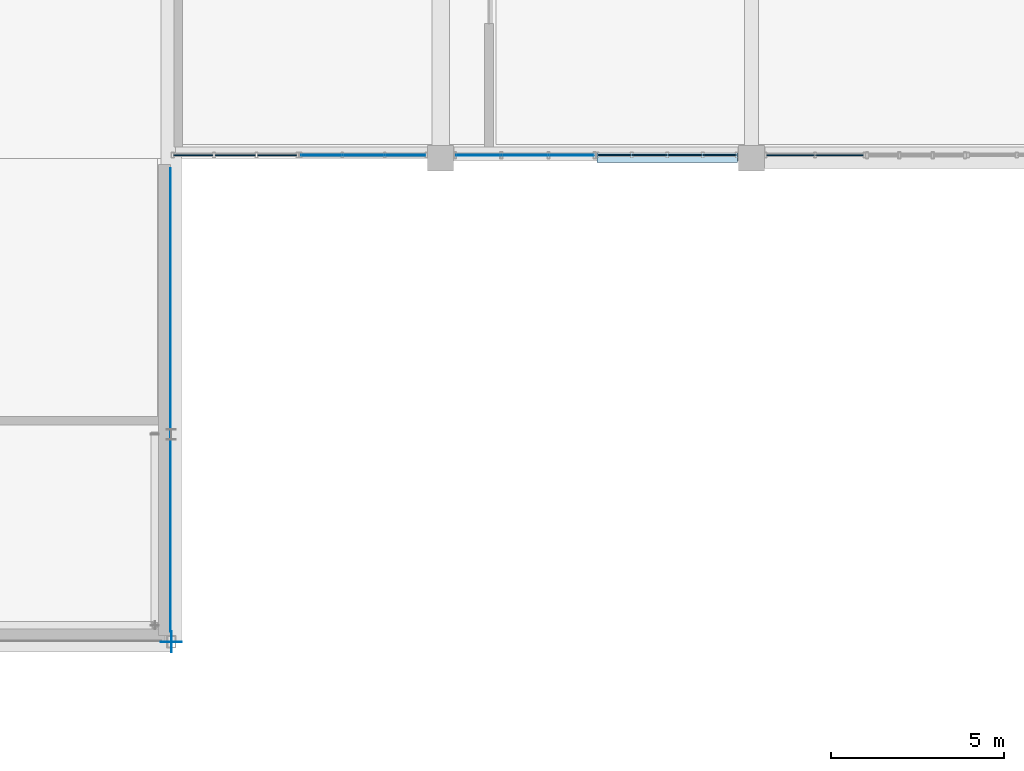
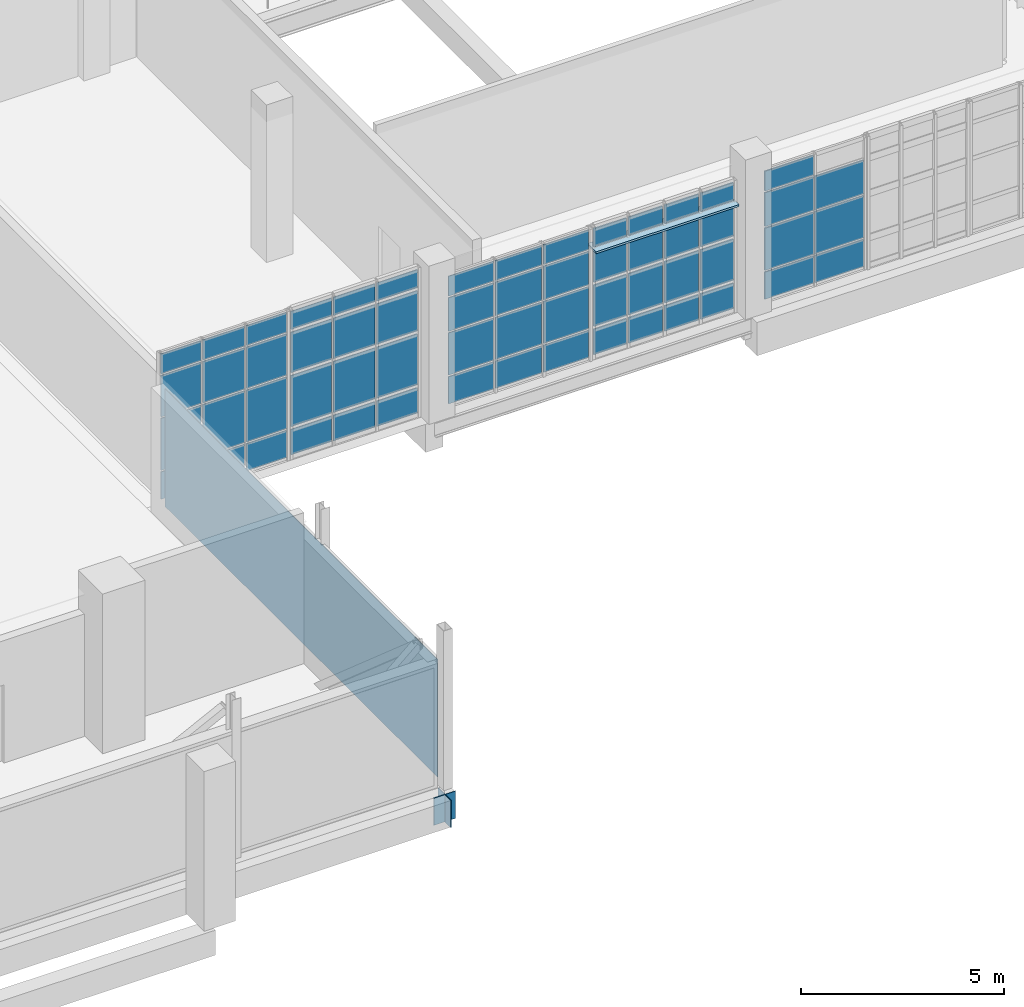
# One storey, part 72 of 102: 63 plates, 5 elements without a shape of their own.
"""IFC4 building model written with IfcOpenShell, lengths in metres."""

from ifc_helpers import new_model, si_unit, derived_unit, direction, frame, origin, origin_2d, place, context, subcontext, project, spatial, rectangle, extrude, material, layer, layer_set, type_object, element, aggregate, save


model = new_model("IFC4")

# Units and contexts
model_context = context("Model", 3, precision=1e-05, world=origin(), true_north=direction((0.0, 1.0)))
body_context = subcontext(model_context, "Body", "Model", "MODEL_VIEW")
ifc_project = project(units=[si_unit("LENGTHUNIT", "METRE"), si_unit("AREAUNIT", "SQUARE_METRE"), si_unit("VOLUMEUNIT", "CUBIC_METRE"), si_unit("PLANEANGLEUNIT", "RADIAN"), si_unit("MASSUNIT", "GRAM", prefix="KILO"), derived_unit("THERMALTRANSMITTANCEUNIT", [(si_unit("POWERUNIT", "WATT"), 1), (si_unit("LENGTHUNIT", "METRE"), -2), (si_unit("THERMODYNAMICTEMPERATUREUNIT", "KELVIN"), -1)])], contexts=[model_context])

# Site, building, storey
site_placement = place(None, origin())
site = spatial("IfcSite", under=ifc_project, at=site_placement, CompositionType="ELEMENT")
building_placement = place(site_placement, origin())
building = spatial("IfcBuilding", under=site, at=building_placement, Name="Nallur Shell Playhouse", CompositionType="ELEMENT")
storey_placement = place(building_placement, frame((0.0, 0.0, 15.0)))
storey = spatial("IfcBuildingStorey", under=building, at=storey_placement, Name="L04", CompositionType="ELEMENT", Elevation=15.0)

# Plates
ifc_material_1 = material(Name="Steel E350", Category="steel")
ifc_layer_1 = layer(ifc_material_1, 0.02001953125)
ifc_layer_set_1 = layer_set([ifc_layer_1], Name="Steel E350")
plate_type_1 = type_object("IfcPlateType", Name="PT-ENDCAP-20", PredefinedType="SHEET", material=ifc_layer_set_1)
plate_1_placement = place(storey_placement, frame((118.610107421875, 10.0, -1.06982421875), z_axis=(0.0, 0.0, 1.0), x_axis=(1.0, 0.0, 0.0)))
element("IfcPlate", 1, at=plate_1_placement, inside=storey, type_object=plate_type_1, Name="Hollow end cap EC-GB-L04-SB", PredefinedType="SHEET", context=body_context, shape_type="SweptSolid", body=[
    extrude(rectangle(XDim=0.02001953125, YDim=0.6201171875, at=origin_2d()), origin(), (0.0, 0.0, 1.0), 0.820068359375),
])
plate_2_placement = place(storey_placement, frame((118.60009765625, 9.989990234375, -1.06982421875), z_axis=(0.0, 0.0, 1.0), x_axis=(1.0, 0.0, 0.0)))
element("IfcPlate", 2, at=plate_2_placement, inside=storey, type_object=plate_type_1, Name="Hollow end cap EC-GB-L04-EA", PredefinedType="SHEET", context=body_context, shape_type="SweptSolid", body=[
    extrude(rectangle(XDim=0.6201171875, YDim=0.02001953125, at=origin_2d()), origin(), (0.0, 0.0, 1.0), 0.820068359375),
])

# Curtain wall, plates
ifc_material_2 = material(Name="Anodised Aluminium Double-Glazed Facade System", Category="aluminium")
ifc_layer_2 = layer(ifc_material_2, 0.1640625)
ifc_layer_set_2 = layer_set([ifc_layer_2], Name="Anodised Aluminium Double-Glazed Facade System")
curtain_wall_type_1 = type_object("IfcCurtainWallType", Name="CW-UNIT-01", PredefinedType="NOTDEFINED", material=ifc_layer_set_2)
curtain_wall_1_placement = place(storey_placement, origin())
curtain_wall_1 = element("IfcCurtainWall", 3, at=curtain_wall_1_placement, inside=storey, type_object=curtain_wall_type_1, Name="Unitised curtain wall CW-129 (L04)", PredefinedType="NOTDEFINED")
ifc_material_3 = material(Name="Solar-Control Low-E Laminated Insulating Glass", Category="glass")
ifc_layer_3 = layer(ifc_material_3, 0.02587890625)
ifc_layer_set_3 = layer_set([ifc_layer_3], Name="Solar-Control Low-E Laminated Insulating Glass")
plate_type_2 = type_object("IfcPlateType", Name="PT-GLZ-01", PredefinedType="CURTAIN_PANEL", material=ifc_layer_set_3)
plate_3_placement = place(storey_placement, frame((130.19091796875, 24.090087890625, 0.05712890625), z_axis=(0.0, 0.0, 1.0), x_axis=(-1.0, 0.0, 0.0)))
plate_3 = element("IfcPlate", 4, at=plate_3_placement, type_object=plate_type_2, Name="CW-01 panel 1.1", PredefinedType="CURTAIN_PANEL", context=body_context, shape_type="SweptSolid", body=[
    extrude(rectangle(XDim=1.274169921875, YDim=0.02587890625, at=origin_2d()), origin(), (0.0, 0.0, 1.0), 0.818603515625),
])
plate_4_placement = place(storey_placement, frame((130.19091796875, 24.090087890625, 0.924560546875), z_axis=(0.0, 0.0, 1.0), x_axis=(-1.0, 0.0, 0.0)))
plate_4 = element("IfcPlate", 5, at=plate_4_placement, type_object=plate_type_2, Name="CW-01 panel 1.2", PredefinedType="CURTAIN_PANEL", context=body_context, shape_type="SweptSolid", body=[
    extrude(rectangle(XDim=1.274169921875, YDim=0.02587890625, at=origin_2d()), origin(), (0.0, 0.0, 1.0), 1.26611328125),
])
plate_5_placement = place(storey_placement, frame((130.19091796875, 24.090087890625, 2.23974609375), z_axis=(0.0, 0.0, 1.0), x_axis=(-1.0, 0.0, 0.0)))
plate_5 = element("IfcPlate", 6, at=plate_5_placement, type_object=plate_type_2, Name="CW-01 panel 1.3", PredefinedType="CURTAIN_PANEL", context=body_context, shape_type="SweptSolid", body=[
    extrude(rectangle(XDim=1.274169921875, YDim=0.02587890625, at=origin_2d()), origin(), (0.0, 0.0, 1.0), 1.010986328125),
])
plate_6_placement = place(storey_placement, frame((130.19091796875, 24.090087890625, 3.29931640625), z_axis=(0.0, 0.0, 1.0), x_axis=(-1.0, 0.0, 0.0)))
plate_6 = element("IfcPlate", 7, at=plate_6_placement, type_object=plate_type_2, Name="CW-01 panel 1.4", PredefinedType="CURTAIN_PANEL", context=body_context, shape_type="SweptSolid", body=[
    extrude(rectangle(XDim=1.274169921875, YDim=0.02587890625, at=origin_2d()), origin(), (0.0, 0.0, 1.0), 0.598388671875),
])
plate_7_placement = place(storey_placement, frame((128.839111328125, 24.090087890625, 0.05712890625), z_axis=(0.0, 0.0, 1.0), x_axis=(-1.0, 0.0, 0.0)))
plate_7 = element("IfcPlate", 8, at=plate_7_placement, type_object=plate_type_2, Name="CW-01 panel 2.1", PredefinedType="CURTAIN_PANEL", context=body_context, shape_type="SweptSolid", body=[
    extrude(rectangle(XDim=1.311767578125, YDim=0.02587890625, at=origin_2d()), origin(), (0.0, 0.0, 1.0), 0.818603515625),
])
plate_8_placement = place(storey_placement, frame((128.839111328125, 24.090087890625, 0.924560546875), z_axis=(0.0, 0.0, 1.0), x_axis=(-1.0, 0.0, 0.0)))
plate_8 = element("IfcPlate", 9, at=plate_8_placement, type_object=plate_type_2, Name="CW-01 panel 2.2", PredefinedType="CURTAIN_PANEL", context=body_context, shape_type="SweptSolid", body=[
    extrude(rectangle(XDim=1.311767578125, YDim=0.02587890625, at=origin_2d()), origin(), (0.0, 0.0, 1.0), 1.26611328125),
])
plate_9_placement = place(storey_placement, frame((128.839111328125, 24.090087890625, 2.23974609375), z_axis=(0.0, 0.0, 1.0), x_axis=(-1.0, 0.0, 0.0)))
plate_9 = element("IfcPlate", 10, at=plate_9_placement, type_object=plate_type_2, Name="CW-01 panel 2.3", PredefinedType="CURTAIN_PANEL", context=body_context, shape_type="SweptSolid", body=[
    extrude(rectangle(XDim=1.311767578125, YDim=0.02587890625, at=origin_2d()), origin(), (0.0, 0.0, 1.0), 1.010986328125),
])
plate_10_placement = place(storey_placement, frame((128.839111328125, 24.090087890625, 3.29931640625), z_axis=(0.0, 0.0, 1.0), x_axis=(-1.0, 0.0, 0.0)))
plate_10 = element("IfcPlate", 11, at=plate_10_placement, type_object=plate_type_2, Name="CW-01 panel 2.4", PredefinedType="CURTAIN_PANEL", context=body_context, shape_type="SweptSolid", body=[
    extrude(rectangle(XDim=1.311767578125, YDim=0.02587890625, at=origin_2d()), origin(), (0.0, 0.0, 1.0), 0.598388671875),
])
plate_11_placement = place(storey_placement, frame((127.487060546875, 24.090087890625, 0.05712890625), z_axis=(0.0, 0.0, 1.0), x_axis=(-1.0, 0.0, 0.0)))
plate_11 = element("IfcPlate", 12, at=plate_11_placement, type_object=plate_type_2, Name="CW-01 panel 3.1", PredefinedType="CURTAIN_PANEL", context=body_context, shape_type="SweptSolid", body=[
    extrude(rectangle(XDim=1.274169921875, YDim=0.02587890625, at=origin_2d()), origin(), (0.0, 0.0, 1.0), 0.818603515625),
])
plate_12_placement = place(storey_placement, frame((127.487060546875, 24.090087890625, 0.924560546875), z_axis=(0.0, 0.0, 1.0), x_axis=(-1.0, 0.0, 0.0)))
plate_12 = element("IfcPlate", 13, at=plate_12_placement, type_object=plate_type_2, Name="CW-01 panel 3.2", PredefinedType="CURTAIN_PANEL", context=body_context, shape_type="SweptSolid", body=[
    extrude(rectangle(XDim=1.274169921875, YDim=0.02587890625, at=origin_2d()), origin(), (0.0, 0.0, 1.0), 1.26611328125),
])
plate_13_placement = place(storey_placement, frame((127.487060546875, 24.090087890625, 2.23974609375), z_axis=(0.0, 0.0, 1.0), x_axis=(-1.0, 0.0, 0.0)))
plate_13 = element("IfcPlate", 14, at=plate_13_placement, type_object=plate_type_2, Name="CW-01 panel 3.3", PredefinedType="CURTAIN_PANEL", context=body_context, shape_type="SweptSolid", body=[
    extrude(rectangle(XDim=1.274169921875, YDim=0.02587890625, at=origin_2d()), origin(), (0.0, 0.0, 1.0), 1.010986328125),
])
plate_14_placement = place(storey_placement, frame((127.487060546875, 24.090087890625, 3.29931640625), z_axis=(0.0, 0.0, 1.0), x_axis=(-1.0, 0.0, 0.0)))
plate_14 = element("IfcPlate", 15, at=plate_14_placement, type_object=plate_type_2, Name="CW-01 panel 3.4", PredefinedType="CURTAIN_PANEL", context=body_context, shape_type="SweptSolid", body=[
    extrude(rectangle(XDim=1.274169921875, YDim=0.02587890625, at=origin_2d()), origin(), (0.0, 0.0, 1.0), 0.598388671875),
])
aggregate(curtain_wall_1, [plate_3, plate_4, plate_5, plate_6, plate_7, plate_8, plate_9, plate_10, plate_11, plate_12, plate_13, plate_14])

ifc_layer_4 = layer(ifc_material_2, 0.16796875)
ifc_layer_set_4 = layer_set([ifc_layer_4], Name="Anodised Aluminium Double-Glazed Facade System")
curtain_wall_type_2 = type_object("IfcCurtainWallType", Name="CW-UNIT-02", PredefinedType="NOTDEFINED", material=ifc_layer_set_4)
curtain_wall_2_placement = place(storey_placement, origin())
curtain_wall_2 = element("IfcCurtainWall", 16, at=curtain_wall_2_placement, inside=storey, type_object=curtain_wall_type_2, Name="Unitised curtain wall CW-130 (L04)", PredefinedType="NOTDEFINED")
ifc_layer_5 = layer(ifc_material_3, 0.028076171875)
ifc_layer_set_5 = layer_set([ifc_layer_5], Name="Solar-Control Low-E Laminated Insulating Glass")
plate_type_3 = type_object("IfcPlateType", Name="PT-GLZ-02", PredefinedType="CURTAIN_PANEL", material=ifc_layer_set_5)
plate_15_placement = place(storey_placement, frame((125.383544921875, 24.090087890625, 0.092041015625), z_axis=(0.0, 0.0, 1.0), x_axis=(-1.0, 0.0, 0.0)))
plate_15 = element("IfcPlate", 17, at=plate_15_placement, type_object=plate_type_3, Name="CW-02 panel 1.1", PredefinedType="CURTAIN_PANEL", context=body_context, shape_type="SweptSolid", body=[
    extrude(rectangle(XDim=1.153076171875, YDim=0.028076171875, at=origin_2d()), origin(), (0.0, 0.0, 1.0), 0.76611328125),
])
plate_16_placement = place(storey_placement, frame((125.383544921875, 24.090087890625, 0.94189453125), z_axis=(0.0, 0.0, 1.0), x_axis=(-1.0, 0.0, 0.0)))
plate_16 = element("IfcPlate", 18, at=plate_16_placement, type_object=plate_type_3, Name="CW-02 panel 1.2", PredefinedType="CURTAIN_PANEL", context=body_context, shape_type="SweptSolid", body=[
    extrude(rectangle(XDim=1.153076171875, YDim=0.028076171875, at=origin_2d()), origin(), (0.0, 0.0, 1.0), 1.535888671875),
])
plate_17_placement = place(storey_placement, frame((125.383544921875, 24.090087890625, 2.56201171875), z_axis=(0.0, 0.0, 1.0), x_axis=(-1.0, 0.0, 0.0)))
plate_17 = element("IfcPlate", 19, at=plate_17_placement, type_object=plate_type_3, Name="CW-02 panel 1.3", PredefinedType="CURTAIN_PANEL", context=body_context, shape_type="SweptSolid", body=[
    extrude(rectangle(XDim=1.153076171875, YDim=0.028076171875, at=origin_2d()), origin(), (0.0, 0.0, 1.0), 1.216064453125),
])
plate_18_placement = place(storey_placement, frame((125.383544921875, 24.090087890625, 3.862060546875), z_axis=(0.0, 0.0, 1.0), x_axis=(-1.0, 0.0, 0.0)))
plate_18 = element("IfcPlate", 20, at=plate_18_placement, type_object=plate_type_3, Name="CW-02 panel 1.4", PredefinedType="CURTAIN_PANEL", context=body_context, shape_type="SweptSolid", body=[
    extrude(rectangle(XDim=1.153076171875, YDim=0.028076171875, at=origin_2d()), origin(), (0.0, 0.0, 1.0), 0.5458984375),
])
plate_19_placement = place(storey_placement, frame((124.165283203125, 24.090087890625, 0.092041015625), z_axis=(0.0, 0.0, 1.0), x_axis=(-1.0, 0.0, 0.0)))
plate_19 = element("IfcPlate", 21, at=plate_19_placement, type_object=plate_type_3, Name="CW-02 panel 2.1", PredefinedType="CURTAIN_PANEL", context=body_context, shape_type="SweptSolid", body=[
    extrude(rectangle(XDim=1.185546875, YDim=0.028076171875, at=origin_2d()), origin(), (0.0, 0.0, 1.0), 0.76611328125),
])
plate_20_placement = place(storey_placement, frame((124.165283203125, 24.090087890625, 0.94189453125), z_axis=(0.0, 0.0, 1.0), x_axis=(-1.0, 0.0, 0.0)))
plate_20 = element("IfcPlate", 22, at=plate_20_placement, type_object=plate_type_3, Name="CW-02 panel 2.2", PredefinedType="CURTAIN_PANEL", context=body_context, shape_type="SweptSolid", body=[
    extrude(rectangle(XDim=1.185546875, YDim=0.028076171875, at=origin_2d()), origin(), (0.0, 0.0, 1.0), 1.535888671875),
])
plate_21_placement = place(storey_placement, frame((124.165283203125, 24.090087890625, 2.56201171875), z_axis=(0.0, 0.0, 1.0), x_axis=(-1.0, 0.0, 0.0)))
plate_21 = element("IfcPlate", 23, at=plate_21_placement, type_object=plate_type_3, Name="CW-02 panel 2.3", PredefinedType="CURTAIN_PANEL", context=body_context, shape_type="SweptSolid", body=[
    extrude(rectangle(XDim=1.185546875, YDim=0.028076171875, at=origin_2d()), origin(), (0.0, 0.0, 1.0), 1.216064453125),
])
plate_22_placement = place(storey_placement, frame((124.165283203125, 24.090087890625, 3.862060546875), z_axis=(0.0, 0.0, 1.0), x_axis=(-1.0, 0.0, 0.0)))
plate_22 = element("IfcPlate", 24, at=plate_22_placement, type_object=plate_type_3, Name="CW-02 panel 2.4", PredefinedType="CURTAIN_PANEL", context=body_context, shape_type="SweptSolid", body=[
    extrude(rectangle(XDim=1.185546875, YDim=0.028076171875, at=origin_2d()), origin(), (0.0, 0.0, 1.0), 0.5458984375),
])
plate_23_placement = place(storey_placement, frame((122.947021484375, 24.090087890625, 0.092041015625), z_axis=(0.0, 0.0, 1.0), x_axis=(-1.0, 0.0, 0.0)))
plate_23 = element("IfcPlate", 25, at=plate_23_placement, type_object=plate_type_3, Name="CW-02 panel 3.1", PredefinedType="CURTAIN_PANEL", context=body_context, shape_type="SweptSolid", body=[
    extrude(rectangle(XDim=1.153076171875, YDim=0.028076171875, at=origin_2d()), origin(), (0.0, 0.0, 1.0), 0.76611328125),
])
plate_24_placement = place(storey_placement, frame((122.947021484375, 24.090087890625, 0.94189453125), z_axis=(0.0, 0.0, 1.0), x_axis=(-1.0, 0.0, 0.0)))
plate_24 = element("IfcPlate", 26, at=plate_24_placement, type_object=plate_type_3, Name="CW-02 panel 3.2", PredefinedType="CURTAIN_PANEL", context=body_context, shape_type="SweptSolid", body=[
    extrude(rectangle(XDim=1.153076171875, YDim=0.028076171875, at=origin_2d()), origin(), (0.0, 0.0, 1.0), 1.535888671875),
])
plate_25_placement = place(storey_placement, frame((122.947021484375, 24.090087890625, 2.56201171875), z_axis=(0.0, 0.0, 1.0), x_axis=(-1.0, 0.0, 0.0)))
plate_25 = element("IfcPlate", 27, at=plate_25_placement, type_object=plate_type_3, Name="CW-02 panel 3.3", PredefinedType="CURTAIN_PANEL", context=body_context, shape_type="SweptSolid", body=[
    extrude(rectangle(XDim=1.153076171875, YDim=0.028076171875, at=origin_2d()), origin(), (0.0, 0.0, 1.0), 1.216064453125),
])
plate_26_placement = place(storey_placement, frame((122.947021484375, 24.090087890625, 3.862060546875), z_axis=(0.0, 0.0, 1.0), x_axis=(-1.0, 0.0, 0.0)))
plate_26 = element("IfcPlate", 28, at=plate_26_placement, type_object=plate_type_3, Name="CW-02 panel 3.4", PredefinedType="CURTAIN_PANEL", context=body_context, shape_type="SweptSolid", body=[
    extrude(rectangle(XDim=1.153076171875, YDim=0.028076171875, at=origin_2d()), origin(), (0.0, 0.0, 1.0), 0.5458984375),
])
aggregate(curtain_wall_2, [plate_15, plate_16, plate_17, plate_18, plate_19, plate_20, plate_21, plate_22, plate_23, plate_24, plate_25, plate_26])

ifc_layer_6 = layer(ifc_material_2, 0.172119140625)
ifc_layer_set_6 = layer_set([ifc_layer_6], Name="Anodised Aluminium Double-Glazed Facade System")
curtain_wall_type_3 = type_object("IfcCurtainWallType", Name="CW-UNIT-03", PredefinedType="NOTDEFINED", material=ifc_layer_set_6)
curtain_wall_3_placement = place(storey_placement, origin())
curtain_wall_3 = element("IfcCurtainWall", 29, at=curtain_wall_3_placement, inside=storey, type_object=curtain_wall_type_3, Name="Unitised curtain wall CW-131 (L04)", PredefinedType="NOTDEFINED")
ifc_layer_7 = layer(ifc_material_3, 0.030029296875)
ifc_layer_set_7 = layer_set([ifc_layer_7], Name="Solar-Control Low-E Laminated Insulating Glass")
plate_type_4 = type_object("IfcPlateType", Name="PT-GLZ-03", PredefinedType="CURTAIN_PANEL", material=ifc_layer_set_7)
plate_27_placement = place(storey_placement, frame((121.666259765625, 24.090087890625, 0.05712890625), z_axis=(0.0, 0.0, 1.0), x_axis=(-1.0, 0.0, 0.0)))
plate_27 = element("IfcPlate", 30, at=plate_27_placement, type_object=plate_type_4, Name="CW-03 panel 1.1", PredefinedType="CURTAIN_PANEL", context=body_context, shape_type="SweptSolid", body=[
    extrude(rectangle(XDim=1.130615234375, YDim=0.030029296875, at=origin_2d()), origin(), (0.0, 0.0, 1.0), 0.818603515625),
])
plate_28_placement = place(storey_placement, frame((121.666259765625, 24.090087890625, 0.924560546875), z_axis=(0.0, 0.0, 1.0), x_axis=(-1.0, 0.0, 0.0)))
plate_28 = element("IfcPlate", 31, at=plate_28_placement, type_object=plate_type_4, Name="CW-03 panel 1.2", PredefinedType="CURTAIN_PANEL", context=body_context, shape_type="SweptSolid", body=[
    extrude(rectangle(XDim=1.130615234375, YDim=0.030029296875, at=origin_2d()), origin(), (0.0, 0.0, 1.0), 1.56005859375),
])
plate_29_placement = place(storey_placement, frame((121.666259765625, 24.090087890625, 2.53369140625), z_axis=(0.0, 0.0, 1.0), x_axis=(-1.0, 0.0, 0.0)))
plate_29 = element("IfcPlate", 32, at=plate_29_placement, type_object=plate_type_4, Name="CW-03 panel 1.3", PredefinedType="CURTAIN_PANEL", context=body_context, shape_type="SweptSolid", body=[
    extrude(rectangle(XDim=1.130615234375, YDim=0.030029296875, at=origin_2d()), origin(), (0.0, 0.0, 1.0), 1.241943359375),
])
plate_30_placement = place(storey_placement, frame((121.666259765625, 24.090087890625, 3.82470703125), z_axis=(0.0, 0.0, 1.0), x_axis=(-1.0, 0.0, 0.0)))
plate_30 = element("IfcPlate", 33, at=plate_30_placement, type_object=plate_type_4, Name="CW-03 panel 1.4", PredefinedType="CURTAIN_PANEL", context=body_context, shape_type="SweptSolid", body=[
    extrude(rectangle(XDim=1.130615234375, YDim=0.030029296875, at=origin_2d()), origin(), (0.0, 0.0, 1.0), 0.598388671875),
])
plate_31_placement = place(storey_placement, frame((120.45166015625, 24.090087890625, 0.05712890625), z_axis=(0.0, 0.0, 1.0), x_axis=(-1.0, 0.0, 0.0)))
plate_31 = element("IfcPlate", 34, at=plate_31_placement, type_object=plate_type_4, Name="CW-03 panel 2.1", PredefinedType="CURTAIN_PANEL", context=body_context, shape_type="SweptSolid", body=[
    extrude(rectangle(XDim=1.17041015625, YDim=0.030029296875, at=origin_2d()), origin(), (0.0, 0.0, 1.0), 0.818603515625),
])
plate_32_placement = place(storey_placement, frame((120.45166015625, 24.090087890625, 0.924560546875), z_axis=(0.0, 0.0, 1.0), x_axis=(-1.0, 0.0, 0.0)))
plate_32 = element("IfcPlate", 35, at=plate_32_placement, type_object=plate_type_4, Name="CW-03 panel 2.2", PredefinedType="CURTAIN_PANEL", context=body_context, shape_type="SweptSolid", body=[
    extrude(rectangle(XDim=1.17041015625, YDim=0.030029296875, at=origin_2d()), origin(), (0.0, 0.0, 1.0), 1.56005859375),
])
plate_33_placement = place(storey_placement, frame((120.45166015625, 24.090087890625, 2.53369140625), z_axis=(0.0, 0.0, 1.0), x_axis=(-1.0, 0.0, 0.0)))
plate_33 = element("IfcPlate", 36, at=plate_33_placement, type_object=plate_type_4, Name="CW-03 panel 2.3", PredefinedType="CURTAIN_PANEL", context=body_context, shape_type="SweptSolid", body=[
    extrude(rectangle(XDim=1.17041015625, YDim=0.030029296875, at=origin_2d()), origin(), (0.0, 0.0, 1.0), 1.241943359375),
])
plate_34_placement = place(storey_placement, frame((120.45166015625, 24.090087890625, 3.82470703125), z_axis=(0.0, 0.0, 1.0), x_axis=(-1.0, 0.0, 0.0)))
plate_34 = element("IfcPlate", 37, at=plate_34_placement, type_object=plate_type_4, Name="CW-03 panel 2.4", PredefinedType="CURTAIN_PANEL", context=body_context, shape_type="SweptSolid", body=[
    extrude(rectangle(XDim=1.17041015625, YDim=0.030029296875, at=origin_2d()), origin(), (0.0, 0.0, 1.0), 0.598388671875),
])
plate_35_placement = place(storey_placement, frame((119.2373046875, 24.090087890625, 0.05712890625), z_axis=(0.0, 0.0, 1.0), x_axis=(-1.0, 0.0, 0.0)))
plate_35 = element("IfcPlate", 38, at=plate_35_placement, type_object=plate_type_4, Name="CW-03 panel 3.1", PredefinedType="CURTAIN_PANEL", context=body_context, shape_type="SweptSolid", body=[
    extrude(rectangle(XDim=1.130615234375, YDim=0.030029296875, at=origin_2d()), origin(), (0.0, 0.0, 1.0), 0.818603515625),
])
plate_36_placement = place(storey_placement, frame((119.2373046875, 24.090087890625, 0.924560546875), z_axis=(0.0, 0.0, 1.0), x_axis=(-1.0, 0.0, 0.0)))
plate_36 = element("IfcPlate", 39, at=plate_36_placement, type_object=plate_type_4, Name="CW-03 panel 3.2", PredefinedType="CURTAIN_PANEL", context=body_context, shape_type="SweptSolid", body=[
    extrude(rectangle(XDim=1.130615234375, YDim=0.030029296875, at=origin_2d()), origin(), (0.0, 0.0, 1.0), 1.56005859375),
])
plate_37_placement = place(storey_placement, frame((119.2373046875, 24.090087890625, 2.53369140625), z_axis=(0.0, 0.0, 1.0), x_axis=(-1.0, 0.0, 0.0)))
plate_37 = element("IfcPlate", 40, at=plate_37_placement, type_object=plate_type_4, Name="CW-03 panel 3.3", PredefinedType="CURTAIN_PANEL", context=body_context, shape_type="SweptSolid", body=[
    extrude(rectangle(XDim=1.130615234375, YDim=0.030029296875, at=origin_2d()), origin(), (0.0, 0.0, 1.0), 1.241943359375),
])
plate_38_placement = place(storey_placement, frame((119.2373046875, 24.090087890625, 3.82470703125), z_axis=(0.0, 0.0, 1.0), x_axis=(-1.0, 0.0, 0.0)))
plate_38 = element("IfcPlate", 41, at=plate_38_placement, type_object=plate_type_4, Name="CW-03 panel 3.4", PredefinedType="CURTAIN_PANEL", context=body_context, shape_type="SweptSolid", body=[
    extrude(rectangle(XDim=1.130615234375, YDim=0.030029296875, at=origin_2d()), origin(), (0.0, 0.0, 1.0), 0.598388671875),
])
aggregate(curtain_wall_3, [plate_27, plate_28, plate_29, plate_30, plate_31, plate_32, plate_33, plate_34, plate_35, plate_36, plate_37, plate_38])

ifc_layer_8 = layer(ifc_material_2, 0.1640625)
ifc_layer_set_8 = layer_set([ifc_layer_8], Name="Anodised Aluminium Double-Glazed Facade System")
curtain_wall_type_4 = type_object("IfcCurtainWallType", Name="CW-UNIT-31", PredefinedType="NOTDEFINED", material=ifc_layer_set_8)
curtain_wall_4_placement = place(storey_placement, origin())
curtain_wall_4 = element("IfcCurtainWall", 42, at=curtain_wall_4_placement, inside=storey, type_object=curtain_wall_type_4, Name="Unitised curtain wall CW-127 (L04)", PredefinedType="NOTDEFINED")
ifc_layer_9 = layer(ifc_material_3, 0.0380859375)
ifc_layer_set_9 = layer_set([ifc_layer_9], Name="Solar-Control Low-E Laminated Insulating Glass")
plate_type_5 = type_object("IfcPlateType", Name="PT-GLZ-07", PredefinedType="CURTAIN_PANEL", material=ifc_layer_set_9)
plate_39_placement = place(storey_placement, frame((137.953857421875, 24.090087890625, 0.05712890625), z_axis=(0.0, 0.0, 1.0), x_axis=(-1.0, 0.0, 0.0)))
plate_39 = element("IfcPlate", 43, at=plate_39_placement, type_object=plate_type_5, Name="CW-31 panel 1.1", PredefinedType="CURTAIN_PANEL", context=body_context, shape_type="SweptSolid", body=[
    extrude(rectangle(XDim=1.37646484375, YDim=0.0380859375, at=origin_2d()), origin(), (0.0, 0.0, 1.0), 0.818603515625),
])
plate_40_placement = place(storey_placement, frame((137.953857421875, 24.090087890625, 0.924560546875), z_axis=(0.0, 0.0, 1.0), x_axis=(-1.0, 0.0, 0.0)))
plate_40 = element("IfcPlate", 44, at=plate_40_placement, type_object=plate_type_5, Name="CW-31 panel 1.2", PredefinedType="CURTAIN_PANEL", context=body_context, shape_type="SweptSolid", body=[
    extrude(rectangle(XDim=1.37646484375, YDim=0.0380859375, at=origin_2d()), origin(), (0.0, 0.0, 1.0), 1.27099609375),
])
plate_41_placement = place(storey_placement, frame((137.953857421875, 24.090087890625, 2.244384765625), z_axis=(0.0, 0.0, 1.0), x_axis=(-1.0, 0.0, 0.0)))
plate_41 = element("IfcPlate", 45, at=plate_41_placement, type_object=plate_type_5, Name="CW-31 panel 1.3", PredefinedType="CURTAIN_PANEL", context=body_context, shape_type="SweptSolid", body=[
    extrude(rectangle(XDim=1.37646484375, YDim=0.0380859375, at=origin_2d()), origin(), (0.0, 0.0, 1.0), 1.01611328125),
])
plate_42_placement = place(storey_placement, frame((136.5283203125, 24.090087890625, 0.05712890625), z_axis=(0.0, 0.0, 1.0), x_axis=(-1.0, 0.0, 0.0)))
plate_42 = element("IfcPlate", 46, at=plate_42_placement, type_object=plate_type_5, Name="CW-31 panel 2.1", PredefinedType="CURTAIN_PANEL", context=body_context, shape_type="SweptSolid", body=[
    extrude(rectangle(XDim=1.37646484375, YDim=0.0380859375, at=origin_2d()), origin(), (0.0, 0.0, 1.0), 0.818603515625),
])
plate_43_placement = place(storey_placement, frame((136.5283203125, 24.090087890625, 0.924560546875), z_axis=(0.0, 0.0, 1.0), x_axis=(-1.0, 0.0, 0.0)))
plate_43 = element("IfcPlate", 47, at=plate_43_placement, type_object=plate_type_5, Name="CW-31 panel 2.2", PredefinedType="CURTAIN_PANEL", context=body_context, shape_type="SweptSolid", body=[
    extrude(rectangle(XDim=1.37646484375, YDim=0.0380859375, at=origin_2d()), origin(), (0.0, 0.0, 1.0), 1.27099609375),
])
plate_44_placement = place(storey_placement, frame((136.5283203125, 24.090087890625, 2.244384765625), z_axis=(0.0, 0.0, 1.0), x_axis=(-1.0, 0.0, 0.0)))
plate_44 = element("IfcPlate", 48, at=plate_44_placement, type_object=plate_type_5, Name="CW-31 panel 2.3", PredefinedType="CURTAIN_PANEL", context=body_context, shape_type="SweptSolid", body=[
    extrude(rectangle(XDim=1.37646484375, YDim=0.0380859375, at=origin_2d()), origin(), (0.0, 0.0, 1.0), 1.01611328125),
])
plate_45_placement = place(storey_placement, frame((136.5283203125, 24.090087890625, 3.3095703125), z_axis=(0.0, 0.0, 1.0), x_axis=(-1.0, 0.0, 0.0)))
plate_45 = element("IfcPlate", 49, at=plate_45_placement, type_object=plate_type_5, Name="CW-31 panel 2.4", PredefinedType="CURTAIN_PANEL", context=body_context, shape_type="SweptSolid", body=[
    extrude(rectangle(XDim=1.37646484375, YDim=0.0380859375, at=origin_2d()), origin(), (0.0, 0.0, 1.0), 0.598388671875),
])
aggregate(curtain_wall_4, [plate_39, plate_40, plate_41, plate_42, plate_43, plate_44, plate_45])

ifc_layer_10 = layer(ifc_material_2, 0.16796875)
ifc_layer_set_10 = layer_set([ifc_layer_10], Name="Anodised Aluminium Double-Glazed Facade System")
curtain_wall_type_5 = type_object("IfcCurtainWallType", Name="CW-UNIT-32", PredefinedType="NOTDEFINED", material=ifc_layer_set_10)
curtain_wall_5_placement = place(storey_placement, origin())
curtain_wall_5 = element("IfcCurtainWall", 50, at=curtain_wall_5_placement, inside=storey, type_object=curtain_wall_type_5, Name="Unitised curtain wall CW-128 (L04)", PredefinedType="NOTDEFINED")
ifc_layer_11 = layer(ifc_material_3, 0.0400390625)
ifc_layer_set_11 = layer_set([ifc_layer_11], Name="Solar-Control Low-E Laminated Insulating Glass")
plate_type_6 = type_object("IfcPlateType", Name="PT-GLZ-08", PredefinedType="CURTAIN_PANEL", material=ifc_layer_set_11)
plate_46_placement = place(storey_placement, frame((134.48291015625, 24.090087890625, 0.092041015625), z_axis=(0.0, 0.0, 1.0), x_axis=(-1.0, 0.0, 0.0)))
plate_46 = element("IfcPlate", 51, at=plate_46_placement, type_object=plate_type_6, Name="CW-32 panel 1.1", PredefinedType="CURTAIN_PANEL", context=body_context, shape_type="SweptSolid", body=[
    extrude(rectangle(XDim=0.924072265625, YDim=0.0400390625, at=origin_2d()), origin(), (0.0, 0.0, 1.0), 0.76611328125),
])
plate_47_placement = place(storey_placement, frame((134.48291015625, 24.090087890625, 0.94189453125), z_axis=(0.0, 0.0, 1.0), x_axis=(-1.0, 0.0, 0.0)))
plate_47 = element("IfcPlate", 52, at=plate_47_placement, type_object=plate_type_6, Name="CW-32 panel 1.2", PredefinedType="CURTAIN_PANEL", context=body_context, shape_type="SweptSolid", body=[
    extrude(rectangle(XDim=0.924072265625, YDim=0.0400390625, at=origin_2d()), origin(), (0.0, 0.0, 1.0), 1.241943359375),
])
plate_48_placement = place(storey_placement, frame((134.48291015625, 24.090087890625, 2.26806640625), z_axis=(0.0, 0.0, 1.0), x_axis=(-1.0, 0.0, 0.0)))
plate_48 = element("IfcPlate", 53, at=plate_48_placement, type_object=plate_type_6, Name="CW-32 panel 1.3", PredefinedType="CURTAIN_PANEL", context=body_context, shape_type="SweptSolid", body=[
    extrude(rectangle(XDim=0.924072265625, YDim=0.0400390625, at=origin_2d()), origin(), (0.0, 0.0, 1.0), 0.985107421875),
])
plate_49_placement = place(storey_placement, frame((134.48291015625, 24.090087890625, 3.337158203125), z_axis=(0.0, 0.0, 1.0), x_axis=(-1.0, 0.0, 0.0)))
plate_49 = element("IfcPlate", 54, at=plate_49_placement, type_object=plate_type_6, Name="CW-32 panel 1.4", PredefinedType="CURTAIN_PANEL", context=body_context, shape_type="SweptSolid", body=[
    extrude(rectangle(XDim=0.924072265625, YDim=0.0400390625, at=origin_2d()), origin(), (0.0, 0.0, 1.0), 0.5458984375),
])
plate_50_placement = place(storey_placement, frame((133.47509765625, 24.090087890625, 0.092041015625), z_axis=(0.0, 0.0, 1.0), x_axis=(-1.0, 0.0, 0.0)))
plate_50 = element("IfcPlate", 55, at=plate_50_placement, type_object=plate_type_6, Name="CW-32 panel 2.1", PredefinedType="CURTAIN_PANEL", context=body_context, shape_type="SweptSolid", body=[
    extrude(rectangle(XDim=0.964111328125, YDim=0.0400390625, at=origin_2d()), origin(), (0.0, 0.0, 1.0), 0.76611328125),
])
plate_51_placement = place(storey_placement, frame((133.47509765625, 24.090087890625, 0.94189453125), z_axis=(0.0, 0.0, 1.0), x_axis=(-1.0, 0.0, 0.0)))
plate_51 = element("IfcPlate", 56, at=plate_51_placement, type_object=plate_type_6, Name="CW-32 panel 2.2", PredefinedType="CURTAIN_PANEL", context=body_context, shape_type="SweptSolid", body=[
    extrude(rectangle(XDim=0.964111328125, YDim=0.0400390625, at=origin_2d()), origin(), (0.0, 0.0, 1.0), 1.241943359375),
])
plate_52_placement = place(storey_placement, frame((133.47509765625, 24.090087890625, 2.26806640625), z_axis=(0.0, 0.0, 1.0), x_axis=(-1.0, 0.0, 0.0)))
plate_52 = element("IfcPlate", 57, at=plate_52_placement, type_object=plate_type_6, Name="CW-32 panel 2.3", PredefinedType="CURTAIN_PANEL", context=body_context, shape_type="SweptSolid", body=[
    extrude(rectangle(XDim=0.964111328125, YDim=0.0400390625, at=origin_2d()), origin(), (0.0, 0.0, 1.0), 0.985107421875),
])
plate_53_placement = place(storey_placement, frame((133.47509765625, 24.090087890625, 3.337158203125), z_axis=(0.0, 0.0, 1.0), x_axis=(-1.0, 0.0, 0.0)))
plate_53 = element("IfcPlate", 58, at=plate_53_placement, type_object=plate_type_6, Name="CW-32 panel 2.4", PredefinedType="CURTAIN_PANEL", context=body_context, shape_type="SweptSolid", body=[
    extrude(rectangle(XDim=0.964111328125, YDim=0.0400390625, at=origin_2d()), origin(), (0.0, 0.0, 1.0), 0.5458984375),
])
plate_54_placement = place(storey_placement, frame((132.447021484375, 24.090087890625, 0.092041015625), z_axis=(0.0, 0.0, 1.0), x_axis=(-1.0, 0.0, 0.0)))
plate_54 = element("IfcPlate", 59, at=plate_54_placement, type_object=plate_type_6, Name="CW-32 panel 3.1", PredefinedType="CURTAIN_PANEL", context=body_context, shape_type="SweptSolid", body=[
    extrude(rectangle(XDim=0.964111328125, YDim=0.0400390625, at=origin_2d()), origin(), (0.0, 0.0, 1.0), 0.76611328125),
])
plate_55_placement = place(storey_placement, frame((132.447021484375, 24.090087890625, 0.94189453125), z_axis=(0.0, 0.0, 1.0), x_axis=(-1.0, 0.0, 0.0)))
plate_55 = element("IfcPlate", 60, at=plate_55_placement, type_object=plate_type_6, Name="CW-32 panel 3.2", PredefinedType="CURTAIN_PANEL", context=body_context, shape_type="SweptSolid", body=[
    extrude(rectangle(XDim=0.964111328125, YDim=0.0400390625, at=origin_2d()), origin(), (0.0, 0.0, 1.0), 1.241943359375),
])
plate_56_placement = place(storey_placement, frame((132.447021484375, 24.090087890625, 2.26806640625), z_axis=(0.0, 0.0, 1.0), x_axis=(-1.0, 0.0, 0.0)))
plate_56 = element("IfcPlate", 61, at=plate_56_placement, type_object=plate_type_6, Name="CW-32 panel 3.3", PredefinedType="CURTAIN_PANEL", context=body_context, shape_type="SweptSolid", body=[
    extrude(rectangle(XDim=0.964111328125, YDim=0.0400390625, at=origin_2d()), origin(), (0.0, 0.0, 1.0), 0.985107421875),
])
plate_57_placement = place(storey_placement, frame((132.447021484375, 24.090087890625, 3.337158203125), z_axis=(0.0, 0.0, 1.0), x_axis=(-1.0, 0.0, 0.0)))
plate_57 = element("IfcPlate", 62, at=plate_57_placement, type_object=plate_type_6, Name="CW-32 panel 3.4", PredefinedType="CURTAIN_PANEL", context=body_context, shape_type="SweptSolid", body=[
    extrude(rectangle(XDim=0.964111328125, YDim=0.0400390625, at=origin_2d()), origin(), (0.0, 0.0, 1.0), 0.5458984375),
])
plate_58_placement = place(storey_placement, frame((131.43896484375, 24.090087890625, 0.092041015625), z_axis=(0.0, 0.0, 1.0), x_axis=(-1.0, 0.0, 0.0)))
plate_58 = element("IfcPlate", 63, at=plate_58_placement, type_object=plate_type_6, Name="CW-32 panel 4.1", PredefinedType="CURTAIN_PANEL", context=body_context, shape_type="SweptSolid", body=[
    extrude(rectangle(XDim=0.924072265625, YDim=0.0400390625, at=origin_2d()), origin(), (0.0, 0.0, 1.0), 0.76611328125),
])
plate_59_placement = place(storey_placement, frame((131.43896484375, 24.090087890625, 0.94189453125), z_axis=(0.0, 0.0, 1.0), x_axis=(-1.0, 0.0, 0.0)))
plate_59 = element("IfcPlate", 64, at=plate_59_placement, type_object=plate_type_6, Name="CW-32 panel 4.2", PredefinedType="CURTAIN_PANEL", context=body_context, shape_type="SweptSolid", body=[
    extrude(rectangle(XDim=0.924072265625, YDim=0.0400390625, at=origin_2d()), origin(), (0.0, 0.0, 1.0), 1.241943359375),
])
plate_60_placement = place(storey_placement, frame((131.43896484375, 24.090087890625, 2.26806640625), z_axis=(0.0, 0.0, 1.0), x_axis=(-1.0, 0.0, 0.0)))
plate_60 = element("IfcPlate", 65, at=plate_60_placement, type_object=plate_type_6, Name="CW-32 panel 4.3", PredefinedType="CURTAIN_PANEL", context=body_context, shape_type="SweptSolid", body=[
    extrude(rectangle(XDim=0.924072265625, YDim=0.0400390625, at=origin_2d()), origin(), (0.0, 0.0, 1.0), 0.985107421875),
])
plate_61_placement = place(storey_placement, frame((131.43896484375, 24.090087890625, 3.337158203125), z_axis=(0.0, 0.0, 1.0), x_axis=(-1.0, 0.0, 0.0)))
plate_61 = element("IfcPlate", 66, at=plate_61_placement, type_object=plate_type_6, Name="CW-32 panel 4.4", PredefinedType="CURTAIN_PANEL", context=body_context, shape_type="SweptSolid", body=[
    extrude(rectangle(XDim=0.924072265625, YDim=0.0400390625, at=origin_2d()), origin(), (0.0, 0.0, 1.0), 0.5458984375),
])
aggregate(curtain_wall_5, [plate_46, plate_47, plate_48, plate_49, plate_50, plate_51, plate_52, plate_53, plate_54, plate_55, plate_56, plate_57, plate_58, plate_59, plate_60, plate_61])

# Plates
ifc_material_4 = material(Name="Gold-Anodised Perforated Aluminium Acoustic Cladding", Category="aluminium")
ifc_layer_12 = layer(ifc_material_4, 0.011962890625)
ifc_layer_set_12 = layer_set([ifc_layer_12], Name="Gold-Anodised Perforated Aluminium Acoustic Cladding")
plate_type_7 = type_object("IfcPlateType", Name="PT-GOLD-04", PredefinedType="SHEET", material=ifc_layer_set_12)
plate_62_placement = place(storey_placement, frame((118.577880859375, 17.0, 0.10009765625), z_axis=(0.0, 0.0, 1.0), x_axis=(0.0, -1.0, 0.0)))
element("IfcPlate", 67, at=plate_62_placement, inside=storey, type_object=plate_type_7, Name="Gold-anodised perforated aluminium cladding GC-010", PredefinedType="SHEET", context=body_context, shape_type="SweptSolid", body=[
    extrude(rectangle(XDim=13.429931640625, YDim=0.02001953125, at=origin_2d()), origin(), (0.0, 0.0, 1.0), 3.534912109375),
])
ifc_material_5 = material(Name="Terracotta & Gold-Anodised Monsoon Sunshade Blade", Category="masonry")
ifc_layer_13 = layer(ifc_material_5, 0.06005859375)
ifc_layer_set_13 = layer_set([ifc_layer_13], Name="Terracotta & Gold-Anodised Monsoon Sunshade Blade")
plate_type_8 = type_object("IfcPlateType", Name="PT-LOUVRE-04", PredefinedType="USERDEFINED", material=ifc_layer_set_13)
plate_63_placement = place(storey_placement, frame((132.9609375, 24.090087890625, 3.264892578125), z_axis=(0.0, 0.0, 1.0), x_axis=(-1.0, 0.0, 0.0)))
element("IfcPlate", 68, at=plate_63_placement, inside=storey, type_object=plate_type_8, Name="Monsoon sunshade louvre blade LV-032", ObjectType="SUNSHADE LOUVRE", PredefinedType="USERDEFINED", context=body_context, shape_type="SweptSolid", body=[
    extrude(rectangle(XDim=4.072021484375, YDim=0.419921875, at=origin_2d()), origin(), (0.0, 0.0, 1.0), 0.06005859375),
])

save(model, "model.ifc")
